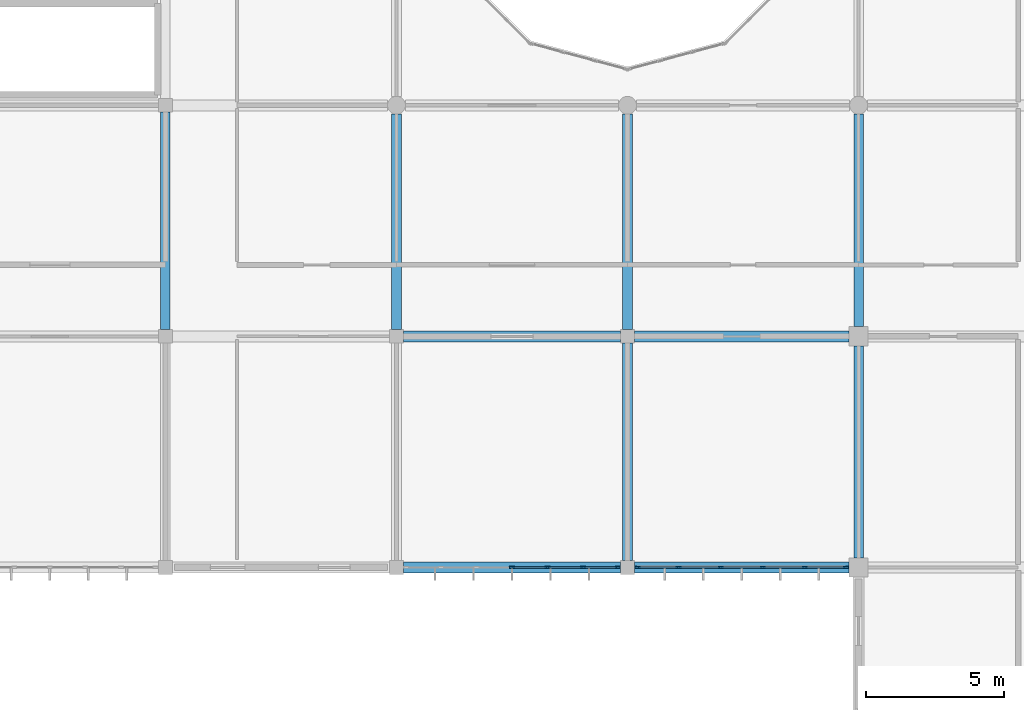
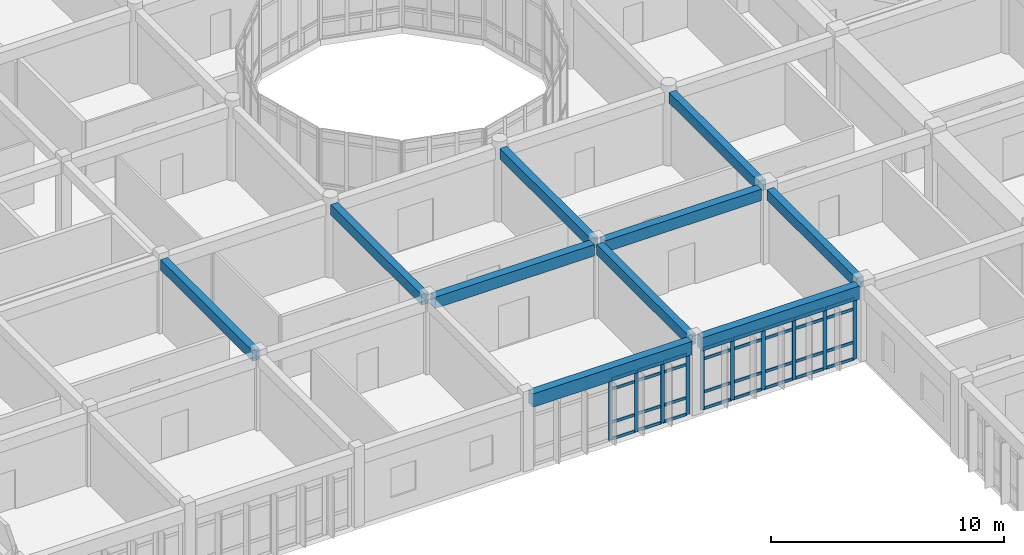
# One storey, part 12 of 119: 42 members, 10 beams, 2 elements without a shape of their own.
"""IFC4 building model written with IfcOpenShell, lengths in metres."""

from ifc_helpers import new_model, si_unit, direction, frame, origin, origin_2d, place, context, subcontext, project, spatial, rectangle, extrude, material, layer, layer_set, material_profile, profile_set, type_object, element, aggregate, save


model = new_model("IFC4")

# Units and contexts
model_context = context("Model", 3, precision=1e-05, world=origin(), true_north=direction((0.0, 1.0)))
body_context = subcontext(model_context, "Body", "Model", "MODEL_VIEW")
ifc_project = project(units=[si_unit("LENGTHUNIT", "METRE"), si_unit("AREAUNIT", "SQUARE_METRE"), si_unit("VOLUMEUNIT", "CUBIC_METRE"), si_unit("PLANEANGLEUNIT", "RADIAN"), si_unit("MASSUNIT", "GRAM", prefix="KILO")], contexts=[model_context])

# Site, building, storey
site_placement = place(None, origin())
site = spatial("IfcSite", under=ifc_project, at=site_placement, CompositionType="ELEMENT")
building_placement = place(site_placement, origin())
building = spatial("IfcBuilding", under=site, at=building_placement, Name="Bramfleet General Hospital", CompositionType="ELEMENT")
storey_placement = place(building_placement, frame((0.0, 0.0, 14.39990234375)))
storey = spatial("IfcBuildingStorey", under=building, at=storey_placement, Name="L03", CompositionType="ELEMENT", Elevation=14.39990234375)

# Beams
ifc_material_1 = material(Name="Concrete C35/45", Category="concrete")
ifc_material_profile_1 = material_profile(ifc_material_1, rectangle(XDim=0.35009765625, YDim=0.550048828125, at=origin_2d()), Name="RC BM 550x350")
ifc_profile_set_1 = profile_set([ifc_material_profile_1], Name="Concrete C35/45")
beam_type_1 = type_object("IfcBeamType", Name="BM-RC550", PredefinedType="BEAM", material=ifc_profile_set_1)
beam_1_placement = place(storey_placement, frame((67.199951171875, 59.050048828125, 3.614990234375), z_axis=(0.0, 1.0, 0.0), x_axis=(-1.0, 0.0, 0.0)))
element("IfcBeam", 1, at=beam_1_placement, inside=storey, type_object=beam_type_1, Name="L03 Grid Beam Y 08-07", PredefinedType="BEAM", context=body_context, shape_type="SweptSolid", body=[
    extrude(rectangle(XDim=0.35009765625, YDim=0.550048828125, at=origin_2d()), origin(), (0.0, 0.0, 1.0), 7.89990234375),
])
beam_2_placement = place(storey_placement, frame((75.60009765625, 59.050048828125, 3.614990234375), z_axis=(0.0, 1.0, 0.0), x_axis=(-1.0, 0.0, 0.0)))
element("IfcBeam", 2, at=beam_2_placement, inside=storey, type_object=beam_type_1, Name="L03 Grid Beam Y 09-07", PredefinedType="BEAM", context=body_context, shape_type="SweptSolid", body=[
    extrude(rectangle(XDim=0.35009765625, YDim=0.550048828125, at=origin_2d()), origin(), (0.0, 0.0, 1.0), 7.824951171875),
])
beam_3_placement = place(storey_placement, frame((84.0, 50.64990234375, 3.625), z_axis=(0.0, 1.0, 0.0), x_axis=(-1.0, 0.0, 0.0)))
element("IfcBeam", 3, at=beam_3_placement, inside=storey, type_object=beam_type_1, Name="L03 Grid Beam Y 10-06", PredefinedType="BEAM", context=body_context, shape_type="SweptSolid", body=[
    extrude(rectangle(XDim=0.35009765625, YDim=0.550048828125, at=origin_2d()), origin(), (0.0, 0.0, 1.0), 7.900146484375),
])
beam_4_placement = place(storey_placement, frame((84.0, 59.050048828125, 3.614990234375), z_axis=(0.0, 1.0, 0.0), x_axis=(-1.0, 0.0, 0.0)))
element("IfcBeam", 4, at=beam_4_placement, inside=storey, type_object=beam_type_1, Name="L03 Grid Beam Y 10-07", PredefinedType="BEAM", context=body_context, shape_type="SweptSolid", body=[
    extrude(rectangle(XDim=0.35009765625, YDim=0.550048828125, at=origin_2d()), origin(), (0.0, 0.0, 1.0), 7.824951171875),
])
beam_5_placement = place(storey_placement, frame((92.39990234375, 50.75, 3.625), z_axis=(0.0, 1.0, 0.0), x_axis=(-1.0, 0.0, 0.0)))
element("IfcBeam", 5, at=beam_5_placement, inside=storey, type_object=beam_type_1, Name="L03 Grid Beam Y 11-06", PredefinedType="BEAM", context=body_context, shape_type="SweptSolid", body=[
    extrude(rectangle(XDim=0.35009765625, YDim=0.550048828125, at=origin_2d()), origin(), (0.0, 0.0, 1.0), 7.699951171875),
])
beam_6_placement = place(storey_placement, frame((92.39990234375, 59.14990234375, 3.614990234375), z_axis=(0.0, 1.0, 0.0), x_axis=(-1.0, 0.0, 0.0)))
element("IfcBeam", 6, at=beam_6_placement, inside=storey, type_object=beam_type_1, Name="L03 Grid Beam Y 11-07", PredefinedType="BEAM", context=body_context, shape_type="SweptSolid", body=[
    extrude(rectangle(XDim=0.35009765625, YDim=0.550048828125, at=origin_2d()), origin(), (0.0, 0.0, 1.0), 7.72509765625),
])
ifc_material_profile_2 = material_profile(ifc_material_1, rectangle(XDim=0.39990234375, YDim=0.60009765625, at=origin_2d()), Name="RC BM 600x400")
ifc_profile_set_2 = profile_set([ifc_material_profile_2], Name="Concrete C35/45")
beam_type_2 = type_object("IfcBeamType", Name="BM-RC600", PredefinedType="BEAM", material=ifc_profile_set_2)
beam_7_placement = place(storey_placement, frame((75.85009765625, 58.800048828125, 3.590087890625), z_axis=(1.0, 0.0, 0.0), x_axis=(0.0, 1.0, 0.0)))
element("IfcBeam", 7, at=beam_7_placement, inside=storey, type_object=beam_type_2, Name="L03 Grid Beam X 09-07", PredefinedType="BEAM", context=body_context, shape_type="SweptSolid", body=[
    extrude(rectangle(XDim=0.39990234375, YDim=0.60009765625, at=origin_2d()), origin(), (0.0, 0.0, 1.0), 7.89990234375),
])
beam_8_placement = place(storey_placement, frame((84.25, 58.800048828125, 3.590087890625), z_axis=(1.0, 0.0, 0.0), x_axis=(0.0, 1.0, 0.0)))
element("IfcBeam", 8, at=beam_8_placement, inside=storey, type_object=beam_type_2, Name="L03 Grid Beam X 10-07", PredefinedType="BEAM", context=body_context, shape_type="SweptSolid", body=[
    extrude(rectangle(XDim=0.39990234375, YDim=0.60009765625, at=origin_2d()), origin(), (0.0, 0.0, 1.0), 7.800048828125),
])
ifc_material_profile_3 = material_profile(ifc_material_1, rectangle(XDim=0.39990234375, YDim=0.699951171875, at=origin_2d()), Name="RC SP 700x400")
ifc_profile_set_3 = profile_set([ifc_material_profile_3], Name="Concrete C35/45")
beam_type_3 = type_object("IfcBeamType", Name="BM-SP700", PredefinedType="SPANDREL", material=ifc_profile_set_3)
beam_9_placement = place(storey_placement, frame((75.85009765625, 50.39990234375, 3.550048828125), z_axis=(1.0, 0.0, 0.0), x_axis=(0.0, 1.0, 0.0)))
element("IfcBeam", 9, at=beam_9_placement, inside=storey, type_object=beam_type_3, Name="L03 Grid Beam X 09-06", PredefinedType="SPANDREL", context=body_context, shape_type="SweptSolid", body=[
    extrude(rectangle(XDim=0.39990234375, YDim=0.699951171875, at=origin_2d()), origin(), (0.0, 0.0, 1.0), 7.89990234375),
])
beam_10_placement = place(storey_placement, frame((84.25, 50.39990234375, 3.550048828125), z_axis=(1.0, 0.0, 0.0), x_axis=(0.0, 1.0, 0.0)))
element("IfcBeam", 10, at=beam_10_placement, inside=storey, type_object=beam_type_3, Name="L03 Grid Beam X 10-06", PredefinedType="SPANDREL", context=body_context, shape_type="SweptSolid", body=[
    extrude(rectangle(XDim=0.39990234375, YDim=0.699951171875, at=origin_2d()), origin(), (0.0, 0.0, 1.0), 7.800048828125),
])

# Curtain wall, members
ifc_material_2 = material(Name="Anodised aluminium and low-E triple glazing", Category="aluminium")
ifc_layer_1 = layer(ifc_material_2, 0.179931640625, Name="CWT-CW-17")
ifc_layer_set_1 = layer_set([ifc_layer_1], Name="Anodised aluminium and low-E triple glazing")
curtain_wall_type_1 = type_object("IfcCurtainWallType", Name="CWT-CW-17", PredefinedType="USERDEFINED", material=ifc_layer_set_1)
curtain_wall_1_placement = place(storey_placement, origin())
curtain_wall_1 = element("IfcCurtainWall", 11, at=curtain_wall_1_placement, inside=storey, type_object=curtain_wall_type_1, Name="L03 Curtain Wall 179", ObjectType="Stick curtain wall", PredefinedType="USERDEFINED")
ifc_material_3 = material(Name="Structural timber GL28h", Category="wood")
ifc_material_profile_4 = material_profile(ifc_material_3, rectangle(XDim=0.070068359375, YDim=0.18994140625, at=origin_2d()), Name="LARCH 190x70")
ifc_profile_set_4 = profile_set([ifc_material_profile_4], Name="Structural timber GL28h")
member_type_1 = type_object("IfcMemberType", Name="CWM-LARCH450", PredefinedType="MULLION", material=ifc_profile_set_4)
member_1_placement = place(storey_placement, frame((91.93994140625, 50.39990234375, 0.0), z_axis=(0.0, 0.0, 1.0), x_axis=(0.0, -1.0, 0.0)))
member_1 = element("IfcMember", 12, at=member_1_placement, type_object=member_type_1, Name="CW-17 mullion 1", PredefinedType="MULLION", context=body_context, shape_type="SweptSolid", body=[
    extrude(rectangle(XDim=0.070068359375, YDim=0.18994140625, at=origin_2d()), origin(), (0.0, 0.0, 1.0), 3.190185546875),
])
member_2_placement = place(storey_placement, frame((90.445068359375, 50.39990234375, 0.0), z_axis=(0.0, 0.0, 1.0), x_axis=(0.0, -1.0, 0.0)))
member_2 = element("IfcMember", 13, at=member_2_placement, type_object=member_type_1, Name="CW-17 mullion 2", PredefinedType="MULLION", context=body_context, shape_type="SweptSolid", body=[
    extrude(rectangle(XDim=0.070068359375, YDim=0.18994140625, at=origin_2d()), origin(), (0.0, 0.0, 1.0), 3.190185546875),
])
member_3_placement = place(storey_placement, frame((88.9150390625, 50.39990234375, 0.0), z_axis=(0.0, 0.0, 1.0), x_axis=(0.0, -1.0, 0.0)))
member_3 = element("IfcMember", 14, at=member_3_placement, type_object=member_type_1, Name="CW-17 mullion 3", PredefinedType="MULLION", context=body_context, shape_type="SweptSolid", body=[
    extrude(rectangle(XDim=0.070068359375, YDim=0.18994140625, at=origin_2d()), origin(), (0.0, 0.0, 1.0), 3.190185546875),
])
member_4_placement = place(storey_placement, frame((87.385009765625, 50.39990234375, 0.0), z_axis=(0.0, 0.0, 1.0), x_axis=(0.0, -1.0, 0.0)))
member_4 = element("IfcMember", 15, at=member_4_placement, type_object=member_type_1, Name="CW-17 mullion 4", PredefinedType="MULLION", context=body_context, shape_type="SweptSolid", body=[
    extrude(rectangle(XDim=0.070068359375, YDim=0.18994140625, at=origin_2d()), origin(), (0.0, 0.0, 1.0), 3.190185546875),
])
member_5_placement = place(storey_placement, frame((85.85498046875, 50.39990234375, 0.0), z_axis=(0.0, 0.0, 1.0), x_axis=(0.0, -1.0, 0.0)))
member_5 = element("IfcMember", 16, at=member_5_placement, type_object=member_type_1, Name="CW-17 mullion 5", PredefinedType="MULLION", context=body_context, shape_type="SweptSolid", body=[
    extrude(rectangle(XDim=0.070068359375, YDim=0.18994140625, at=origin_2d()), origin(), (0.0, 0.0, 1.0), 3.190185546875),
])
member_6_placement = place(storey_placement, frame((84.360107421875, 50.39990234375, 0.0), z_axis=(0.0, 0.0, 1.0), x_axis=(0.0, -1.0, 0.0)))
member_6 = element("IfcMember", 17, at=member_6_placement, type_object=member_type_1, Name="CW-17 mullion 6", PredefinedType="MULLION", context=body_context, shape_type="SweptSolid", body=[
    extrude(rectangle(XDim=0.070068359375, YDim=0.18994140625, at=origin_2d()), origin(), (0.0, 0.0, 1.0), 3.190185546875),
])

ifc_layer_2 = layer(ifc_material_2, 0.179931640625, Name="CWT-CW-18")
ifc_layer_set_2 = layer_set([ifc_layer_2], Name="Anodised aluminium and low-E triple glazing")
curtain_wall_type_2 = type_object("IfcCurtainWallType", Name="CWT-CW-18", PredefinedType="USERDEFINED", material=ifc_layer_set_2)
curtain_wall_2_placement = place(storey_placement, origin())
curtain_wall_2 = element("IfcCurtainWall", 18, at=curtain_wall_2_placement, inside=storey, type_object=curtain_wall_type_2, Name="L03 Curtain Wall 180", ObjectType="Stick curtain wall", PredefinedType="USERDEFINED")
member_7_placement = place(storey_placement, frame((83.639892578125, 50.39990234375, 0.0), z_axis=(0.0, 0.0, 1.0), x_axis=(0.0, -1.0, 0.0)))
member_7 = element("IfcMember", 19, at=member_7_placement, type_object=member_type_1, Name="CW-18 mullion 1", PredefinedType="MULLION", context=body_context, shape_type="SweptSolid", body=[
    extrude(rectangle(XDim=0.070068359375, YDim=0.18994140625, at=origin_2d()), origin(), (0.0, 0.0, 1.0), 3.190185546875),
])
member_8_placement = place(storey_placement, frame((82.38330078125, 50.39990234375, 0.0), z_axis=(0.0, 0.0, 1.0), x_axis=(0.0, -1.0, 0.0)))
member_8 = element("IfcMember", 20, at=member_8_placement, type_object=member_type_1, Name="CW-18 mullion 2", PredefinedType="MULLION", context=body_context, shape_type="SweptSolid", body=[
    extrude(rectangle(XDim=0.070068359375, YDim=0.18994140625, at=origin_2d()), origin(), (0.0, 0.0, 1.0), 3.190185546875),
])
member_9_placement = place(storey_placement, frame((81.091552734375, 50.39990234375, 0.0), z_axis=(0.0, 0.0, 1.0), x_axis=(0.0, -1.0, 0.0)))
member_9 = element("IfcMember", 21, at=member_9_placement, type_object=member_type_1, Name="CW-18 mullion 3", PredefinedType="MULLION", context=body_context, shape_type="SweptSolid", body=[
    extrude(rectangle(XDim=0.070068359375, YDim=0.18994140625, at=origin_2d()), origin(), (0.0, 0.0, 1.0), 3.190185546875),
])
member_10_placement = place(storey_placement, frame((79.800048828125, 50.39990234375, 0.0), z_axis=(0.0, 0.0, 1.0), x_axis=(0.0, -1.0, 0.0)))
member_10 = element("IfcMember", 22, at=member_10_placement, type_object=member_type_1, Name="CW-18 mullion 4", PredefinedType="MULLION", context=body_context, shape_type="SweptSolid", body=[
    extrude(rectangle(XDim=0.070068359375, YDim=0.18994140625, at=origin_2d()), origin(), (0.0, 0.0, 1.0), 3.190185546875),
])

# Member
ifc_material_profile_5 = material_profile(ifc_material_3, rectangle(XDim=0.06494140625, YDim=0.14990234375, at=origin_2d()), Name="LARCH 150x65")
ifc_profile_set_5 = profile_set([ifc_material_profile_5], Name="Structural timber GL28h")
member_type_2 = type_object("IfcMemberType", Name="CWT-LARCH220", PredefinedType="USERDEFINED", material=ifc_profile_set_5)
member_11_placement = place(storey_placement, frame((91.905029296875, 50.39990234375, 0.03271484375), z_axis=(-1.0, 0.0, 0.0), x_axis=(0.0, -1.0, 0.0)))
member_11 = element("IfcMember", 23, at=member_11_placement, type_object=member_type_2, Name="CW-17 transom 1.1", ObjectType="TRANSOM", PredefinedType="USERDEFINED", context=body_context, shape_type="SweptSolid", body=[
    extrude(rectangle(XDim=0.06494140625, YDim=0.14990234375, at=origin_2d()), origin(), (0.0, 0.0, 1.0), 1.425048828125),
])

member_12_placement = place(storey_placement, frame((91.905029296875, 50.39990234375, 0.900146484375), z_axis=(-1.0, 0.0, 0.0), x_axis=(0.0, -1.0, 0.0)))
member_12 = element("IfcMember", 24, at=member_12_placement, type_object=member_type_2, Name="CW-17 transom 1.2", ObjectType="TRANSOM", PredefinedType="USERDEFINED", context=body_context, shape_type="SweptSolid", body=[
    extrude(rectangle(XDim=0.06494140625, YDim=0.14990234375, at=origin_2d()), origin(), (0.0, 0.0, 1.0), 1.425048828125),
])

member_13_placement = place(storey_placement, frame((91.905029296875, 50.39990234375, 2.64013671875), z_axis=(-1.0, 0.0, 0.0), x_axis=(0.0, -1.0, 0.0)))
member_13 = element("IfcMember", 25, at=member_13_placement, type_object=member_type_2, Name="CW-17 transom 1.3", ObjectType="TRANSOM", PredefinedType="USERDEFINED", context=body_context, shape_type="SweptSolid", body=[
    extrude(rectangle(XDim=0.06494140625, YDim=0.14990234375, at=origin_2d()), origin(), (0.0, 0.0, 1.0), 1.425048828125),
])

member_14_placement = place(storey_placement, frame((91.905029296875, 50.39990234375, 3.15771484375), z_axis=(-1.0, 0.0, 0.0), x_axis=(0.0, -1.0, 0.0)))
member_14 = element("IfcMember", 26, at=member_14_placement, type_object=member_type_2, Name="CW-17 transom 1.4", ObjectType="TRANSOM", PredefinedType="USERDEFINED", context=body_context, shape_type="SweptSolid", body=[
    extrude(rectangle(XDim=0.06494140625, YDim=0.14990234375, at=origin_2d()), origin(), (0.0, 0.0, 1.0), 1.425048828125),
])

member_15_placement = place(storey_placement, frame((90.409912109375, 50.39990234375, 0.03271484375), z_axis=(-1.0, 0.0, 0.0), x_axis=(0.0, -1.0, 0.0)))
member_15 = element("IfcMember", 27, at=member_15_placement, type_object=member_type_2, Name="CW-17 transom 2.1", ObjectType="TRANSOM", PredefinedType="USERDEFINED", context=body_context, shape_type="SweptSolid", body=[
    extrude(rectangle(XDim=0.06494140625, YDim=0.14990234375, at=origin_2d()), origin(), (0.0, 0.0, 1.0), 1.4599609375),
])

member_16_placement = place(storey_placement, frame((90.409912109375, 50.39990234375, 0.900146484375), z_axis=(-1.0, 0.0, 0.0), x_axis=(0.0, -1.0, 0.0)))
member_16 = element("IfcMember", 28, at=member_16_placement, type_object=member_type_2, Name="CW-17 transom 2.2", ObjectType="TRANSOM", PredefinedType="USERDEFINED", context=body_context, shape_type="SweptSolid", body=[
    extrude(rectangle(XDim=0.06494140625, YDim=0.14990234375, at=origin_2d()), origin(), (0.0, 0.0, 1.0), 1.4599609375),
])

member_17_placement = place(storey_placement, frame((90.409912109375, 50.39990234375, 2.64013671875), z_axis=(-1.0, 0.0, 0.0), x_axis=(0.0, -1.0, 0.0)))
member_17 = element("IfcMember", 29, at=member_17_placement, type_object=member_type_2, Name="CW-17 transom 2.3", ObjectType="TRANSOM", PredefinedType="USERDEFINED", context=body_context, shape_type="SweptSolid", body=[
    extrude(rectangle(XDim=0.06494140625, YDim=0.14990234375, at=origin_2d()), origin(), (0.0, 0.0, 1.0), 1.4599609375),
])

member_18_placement = place(storey_placement, frame((90.409912109375, 50.39990234375, 3.15771484375), z_axis=(-1.0, 0.0, 0.0), x_axis=(0.0, -1.0, 0.0)))
member_18 = element("IfcMember", 30, at=member_18_placement, type_object=member_type_2, Name="CW-17 transom 2.4", ObjectType="TRANSOM", PredefinedType="USERDEFINED", context=body_context, shape_type="SweptSolid", body=[
    extrude(rectangle(XDim=0.06494140625, YDim=0.14990234375, at=origin_2d()), origin(), (0.0, 0.0, 1.0), 1.4599609375),
])

member_19_placement = place(storey_placement, frame((88.8798828125, 50.39990234375, 0.03271484375), z_axis=(-1.0, 0.0, 0.0), x_axis=(0.0, -1.0, 0.0)))
member_19 = element("IfcMember", 31, at=member_19_placement, type_object=member_type_2, Name="CW-17 transom 3.1", ObjectType="TRANSOM", PredefinedType="USERDEFINED", context=body_context, shape_type="SweptSolid", body=[
    extrude(rectangle(XDim=0.06494140625, YDim=0.14990234375, at=origin_2d()), origin(), (0.0, 0.0, 1.0), 1.4599609375),
])

member_20_placement = place(storey_placement, frame((88.8798828125, 50.39990234375, 0.900146484375), z_axis=(-1.0, 0.0, 0.0), x_axis=(0.0, -1.0, 0.0)))
member_20 = element("IfcMember", 32, at=member_20_placement, type_object=member_type_2, Name="CW-17 transom 3.2", ObjectType="TRANSOM", PredefinedType="USERDEFINED", context=body_context, shape_type="SweptSolid", body=[
    extrude(rectangle(XDim=0.06494140625, YDim=0.14990234375, at=origin_2d()), origin(), (0.0, 0.0, 1.0), 1.4599609375),
])

member_21_placement = place(storey_placement, frame((88.8798828125, 50.39990234375, 2.64013671875), z_axis=(-1.0, 0.0, 0.0), x_axis=(0.0, -1.0, 0.0)))
member_21 = element("IfcMember", 33, at=member_21_placement, type_object=member_type_2, Name="CW-17 transom 3.3", ObjectType="TRANSOM", PredefinedType="USERDEFINED", context=body_context, shape_type="SweptSolid", body=[
    extrude(rectangle(XDim=0.06494140625, YDim=0.14990234375, at=origin_2d()), origin(), (0.0, 0.0, 1.0), 1.4599609375),
])

member_22_placement = place(storey_placement, frame((88.8798828125, 50.39990234375, 3.15771484375), z_axis=(-1.0, 0.0, 0.0), x_axis=(0.0, -1.0, 0.0)))
member_22 = element("IfcMember", 34, at=member_22_placement, type_object=member_type_2, Name="CW-17 transom 3.4", ObjectType="TRANSOM", PredefinedType="USERDEFINED", context=body_context, shape_type="SweptSolid", body=[
    extrude(rectangle(XDim=0.06494140625, YDim=0.14990234375, at=origin_2d()), origin(), (0.0, 0.0, 1.0), 1.4599609375),
])

member_23_placement = place(storey_placement, frame((87.35009765625, 50.39990234375, 0.03271484375), z_axis=(-1.0, 0.0, 0.0), x_axis=(0.0, -1.0, 0.0)))
member_23 = element("IfcMember", 35, at=member_23_placement, type_object=member_type_2, Name="CW-17 transom 4.1", ObjectType="TRANSOM", PredefinedType="USERDEFINED", context=body_context, shape_type="SweptSolid", body=[
    extrude(rectangle(XDim=0.06494140625, YDim=0.14990234375, at=origin_2d()), origin(), (0.0, 0.0, 1.0), 1.460205078125),
])

member_24_placement = place(storey_placement, frame((87.35009765625, 50.39990234375, 0.900146484375), z_axis=(-1.0, 0.0, 0.0), x_axis=(0.0, -1.0, 0.0)))
member_24 = element("IfcMember", 36, at=member_24_placement, type_object=member_type_2, Name="CW-17 transom 4.2", ObjectType="TRANSOM", PredefinedType="USERDEFINED", context=body_context, shape_type="SweptSolid", body=[
    extrude(rectangle(XDim=0.06494140625, YDim=0.14990234375, at=origin_2d()), origin(), (0.0, 0.0, 1.0), 1.460205078125),
])

member_25_placement = place(storey_placement, frame((87.35009765625, 50.39990234375, 2.64013671875), z_axis=(-1.0, 0.0, 0.0), x_axis=(0.0, -1.0, 0.0)))
member_25 = element("IfcMember", 37, at=member_25_placement, type_object=member_type_2, Name="CW-17 transom 4.3", ObjectType="TRANSOM", PredefinedType="USERDEFINED", context=body_context, shape_type="SweptSolid", body=[
    extrude(rectangle(XDim=0.06494140625, YDim=0.14990234375, at=origin_2d()), origin(), (0.0, 0.0, 1.0), 1.460205078125),
])

member_26_placement = place(storey_placement, frame((87.35009765625, 50.39990234375, 3.15771484375), z_axis=(-1.0, 0.0, 0.0), x_axis=(0.0, -1.0, 0.0)))
member_26 = element("IfcMember", 38, at=member_26_placement, type_object=member_type_2, Name="CW-17 transom 4.4", ObjectType="TRANSOM", PredefinedType="USERDEFINED", context=body_context, shape_type="SweptSolid", body=[
    extrude(rectangle(XDim=0.06494140625, YDim=0.14990234375, at=origin_2d()), origin(), (0.0, 0.0, 1.0), 1.460205078125),
])

member_27_placement = place(storey_placement, frame((85.820068359375, 50.39990234375, 0.03271484375), z_axis=(-1.0, 0.0, 0.0), x_axis=(0.0, -1.0, 0.0)))
member_27 = element("IfcMember", 39, at=member_27_placement, type_object=member_type_2, Name="CW-17 transom 5.1", ObjectType="TRANSOM", PredefinedType="USERDEFINED", context=body_context, shape_type="SweptSolid", body=[
    extrude(rectangle(XDim=0.06494140625, YDim=0.14990234375, at=origin_2d()), origin(), (0.0, 0.0, 1.0), 1.425048828125),
])

member_28_placement = place(storey_placement, frame((85.820068359375, 50.39990234375, 0.900146484375), z_axis=(-1.0, 0.0, 0.0), x_axis=(0.0, -1.0, 0.0)))
member_28 = element("IfcMember", 40, at=member_28_placement, type_object=member_type_2, Name="CW-17 transom 5.2", ObjectType="TRANSOM", PredefinedType="USERDEFINED", context=body_context, shape_type="SweptSolid", body=[
    extrude(rectangle(XDim=0.06494140625, YDim=0.14990234375, at=origin_2d()), origin(), (0.0, 0.0, 1.0), 1.425048828125),
])

member_29_placement = place(storey_placement, frame((85.820068359375, 50.39990234375, 2.64013671875), z_axis=(-1.0, 0.0, 0.0), x_axis=(0.0, -1.0, 0.0)))
member_29 = element("IfcMember", 41, at=member_29_placement, type_object=member_type_2, Name="CW-17 transom 5.3", ObjectType="TRANSOM", PredefinedType="USERDEFINED", context=body_context, shape_type="SweptSolid", body=[
    extrude(rectangle(XDim=0.06494140625, YDim=0.14990234375, at=origin_2d()), origin(), (0.0, 0.0, 1.0), 1.425048828125),
])

member_30_placement = place(storey_placement, frame((85.820068359375, 50.39990234375, 3.15771484375), z_axis=(-1.0, 0.0, 0.0), x_axis=(0.0, -1.0, 0.0)))
member_30 = element("IfcMember", 42, at=member_30_placement, type_object=member_type_2, Name="CW-17 transom 5.4", ObjectType="TRANSOM", PredefinedType="USERDEFINED", context=body_context, shape_type="SweptSolid", body=[
    extrude(rectangle(XDim=0.06494140625, YDim=0.14990234375, at=origin_2d()), origin(), (0.0, 0.0, 1.0), 1.425048828125),
])

aggregate(curtain_wall_1, [member_1, member_2, member_3, member_4, member_5, member_6, member_11, member_12, member_13, member_14, member_15, member_16, member_17, member_18, member_19, member_20, member_21, member_22, member_23, member_24, member_25, member_26, member_27, member_28, member_29, member_30])

member_31_placement = place(storey_placement, frame((83.60498046875, 50.39990234375, 0.03271484375), z_axis=(-1.0, 0.0, 0.0), x_axis=(0.0, -1.0, 0.0)))
member_31 = element("IfcMember", 43, at=member_31_placement, type_object=member_type_2, Name="CW-18 transom 1.1", ObjectType="TRANSOM", PredefinedType="USERDEFINED", context=body_context, shape_type="SweptSolid", body=[
    extrude(rectangle(XDim=0.06494140625, YDim=0.14990234375, at=origin_2d()), origin(), (0.0, 0.0, 1.0), 1.186767578125),
])

member_32_placement = place(storey_placement, frame((83.60498046875, 50.39990234375, 0.900146484375), z_axis=(-1.0, 0.0, 0.0), x_axis=(0.0, -1.0, 0.0)))
member_32 = element("IfcMember", 44, at=member_32_placement, type_object=member_type_2, Name="CW-18 transom 1.2", ObjectType="TRANSOM", PredefinedType="USERDEFINED", context=body_context, shape_type="SweptSolid", body=[
    extrude(rectangle(XDim=0.06494140625, YDim=0.14990234375, at=origin_2d()), origin(), (0.0, 0.0, 1.0), 1.186767578125),
])

member_33_placement = place(storey_placement, frame((83.60498046875, 50.39990234375, 2.64013671875), z_axis=(-1.0, 0.0, 0.0), x_axis=(0.0, -1.0, 0.0)))
member_33 = element("IfcMember", 45, at=member_33_placement, type_object=member_type_2, Name="CW-18 transom 1.3", ObjectType="TRANSOM", PredefinedType="USERDEFINED", context=body_context, shape_type="SweptSolid", body=[
    extrude(rectangle(XDim=0.06494140625, YDim=0.14990234375, at=origin_2d()), origin(), (0.0, 0.0, 1.0), 1.186767578125),
])

member_34_placement = place(storey_placement, frame((83.60498046875, 50.39990234375, 3.15771484375), z_axis=(-1.0, 0.0, 0.0), x_axis=(0.0, -1.0, 0.0)))
member_34 = element("IfcMember", 46, at=member_34_placement, type_object=member_type_2, Name="CW-18 transom 1.4", ObjectType="TRANSOM", PredefinedType="USERDEFINED", context=body_context, shape_type="SweptSolid", body=[
    extrude(rectangle(XDim=0.06494140625, YDim=0.14990234375, at=origin_2d()), origin(), (0.0, 0.0, 1.0), 1.186767578125),
])

member_35_placement = place(storey_placement, frame((82.348388671875, 50.39990234375, 0.03271484375), z_axis=(-1.0, 0.0, 0.0), x_axis=(0.0, -1.0, 0.0)))
member_35 = element("IfcMember", 47, at=member_35_placement, type_object=member_type_2, Name="CW-18 transom 2.1", ObjectType="TRANSOM", PredefinedType="USERDEFINED", context=body_context, shape_type="SweptSolid", body=[
    extrude(rectangle(XDim=0.06494140625, YDim=0.14990234375, at=origin_2d()), origin(), (0.0, 0.0, 1.0), 1.2216796875),
])

member_36_placement = place(storey_placement, frame((82.348388671875, 50.39990234375, 0.900146484375), z_axis=(-1.0, 0.0, 0.0), x_axis=(0.0, -1.0, 0.0)))
member_36 = element("IfcMember", 48, at=member_36_placement, type_object=member_type_2, Name="CW-18 transom 2.2", ObjectType="TRANSOM", PredefinedType="USERDEFINED", context=body_context, shape_type="SweptSolid", body=[
    extrude(rectangle(XDim=0.06494140625, YDim=0.14990234375, at=origin_2d()), origin(), (0.0, 0.0, 1.0), 1.2216796875),
])

member_37_placement = place(storey_placement, frame((82.348388671875, 50.39990234375, 2.64013671875), z_axis=(-1.0, 0.0, 0.0), x_axis=(0.0, -1.0, 0.0)))
member_37 = element("IfcMember", 49, at=member_37_placement, type_object=member_type_2, Name="CW-18 transom 2.3", ObjectType="TRANSOM", PredefinedType="USERDEFINED", context=body_context, shape_type="SweptSolid", body=[
    extrude(rectangle(XDim=0.06494140625, YDim=0.14990234375, at=origin_2d()), origin(), (0.0, 0.0, 1.0), 1.2216796875),
])

member_38_placement = place(storey_placement, frame((82.348388671875, 50.39990234375, 3.15771484375), z_axis=(-1.0, 0.0, 0.0), x_axis=(0.0, -1.0, 0.0)))
member_38 = element("IfcMember", 50, at=member_38_placement, type_object=member_type_2, Name="CW-18 transom 2.4", ObjectType="TRANSOM", PredefinedType="USERDEFINED", context=body_context, shape_type="SweptSolid", body=[
    extrude(rectangle(XDim=0.06494140625, YDim=0.14990234375, at=origin_2d()), origin(), (0.0, 0.0, 1.0), 1.2216796875),
])

member_39_placement = place(storey_placement, frame((81.056640625, 50.39990234375, 0.03271484375), z_axis=(-1.0, 0.0, 0.0), x_axis=(0.0, -1.0, 0.0)))
member_39 = element("IfcMember", 51, at=member_39_placement, type_object=member_type_2, Name="CW-18 transom 3.1", ObjectType="TRANSOM", PredefinedType="USERDEFINED", context=body_context, shape_type="SweptSolid", body=[
    extrude(rectangle(XDim=0.06494140625, YDim=0.14990234375, at=origin_2d()), origin(), (0.0, 0.0, 1.0), 1.2216796875),
])

member_40_placement = place(storey_placement, frame((81.056640625, 50.39990234375, 0.900146484375), z_axis=(-1.0, 0.0, 0.0), x_axis=(0.0, -1.0, 0.0)))
member_40 = element("IfcMember", 52, at=member_40_placement, type_object=member_type_2, Name="CW-18 transom 3.2", ObjectType="TRANSOM", PredefinedType="USERDEFINED", context=body_context, shape_type="SweptSolid", body=[
    extrude(rectangle(XDim=0.06494140625, YDim=0.14990234375, at=origin_2d()), origin(), (0.0, 0.0, 1.0), 1.2216796875),
])

member_41_placement = place(storey_placement, frame((81.056640625, 50.39990234375, 2.64013671875), z_axis=(-1.0, 0.0, 0.0), x_axis=(0.0, -1.0, 0.0)))
member_41 = element("IfcMember", 53, at=member_41_placement, type_object=member_type_2, Name="CW-18 transom 3.3", ObjectType="TRANSOM", PredefinedType="USERDEFINED", context=body_context, shape_type="SweptSolid", body=[
    extrude(rectangle(XDim=0.06494140625, YDim=0.14990234375, at=origin_2d()), origin(), (0.0, 0.0, 1.0), 1.2216796875),
])

member_42_placement = place(storey_placement, frame((81.056640625, 50.39990234375, 3.15771484375), z_axis=(-1.0, 0.0, 0.0), x_axis=(0.0, -1.0, 0.0)))
member_42 = element("IfcMember", 54, at=member_42_placement, type_object=member_type_2, Name="CW-18 transom 3.4", ObjectType="TRANSOM", PredefinedType="USERDEFINED", context=body_context, shape_type="SweptSolid", body=[
    extrude(rectangle(XDim=0.06494140625, YDim=0.14990234375, at=origin_2d()), origin(), (0.0, 0.0, 1.0), 1.2216796875),
])

aggregate(curtain_wall_2, [member_7, member_8, member_9, member_10, member_31, member_32, member_33, member_34, member_35, member_36, member_37, member_38, member_39, member_40, member_41, member_42])

save(model, "model.ifc")
